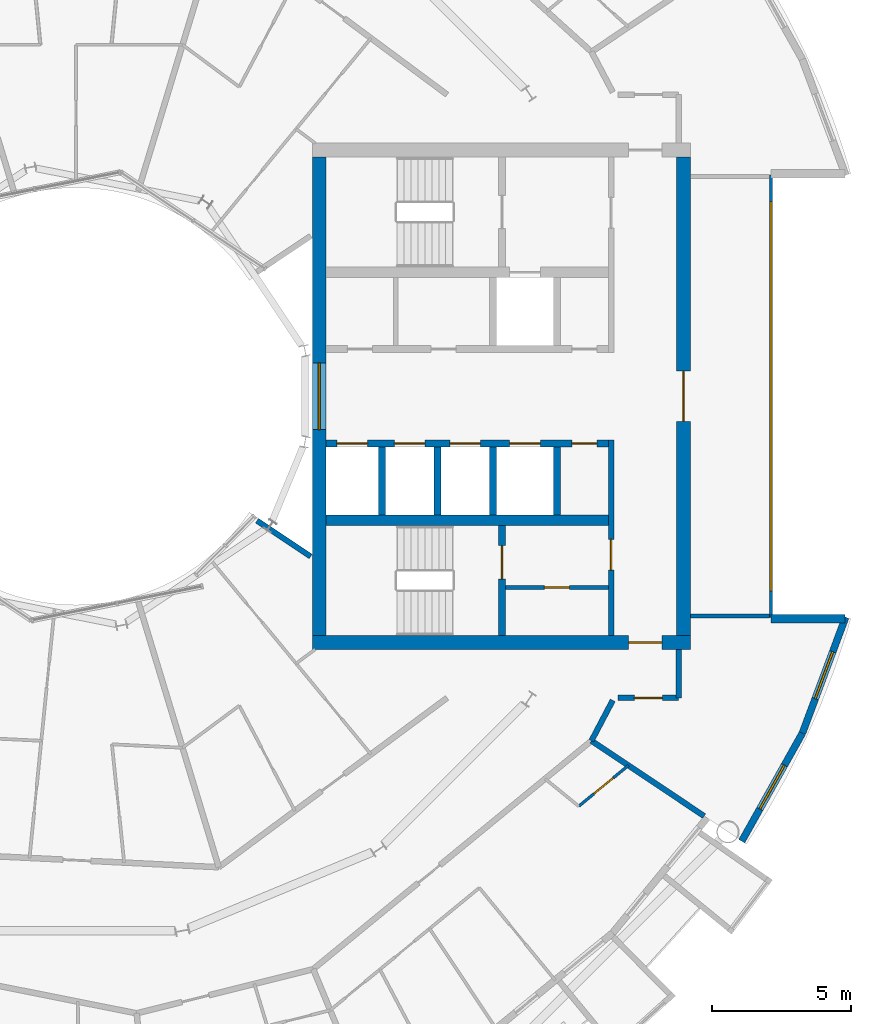
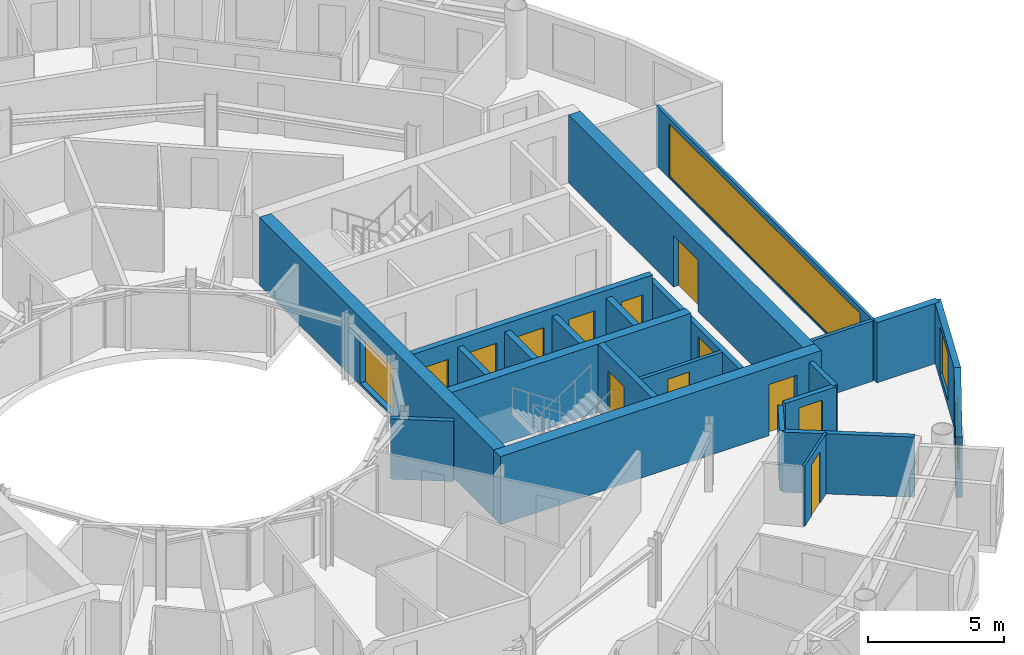
# One storey, part 18 of 26: 23 walls, 12 doors, 4 windows, 16 openings.
"""IFC4 building model written with IfcOpenShell, lengths in metres."""

from ifc_helpers import new_model, si_unit, direction, frame, frame_2d, origin, place, context, subcontext, project, spatial, rectangle, extrude, material, layer, layer_set, type_object, element, fill, save


model = new_model("IFC4")

# Units and contexts
model_context = context("Model", 3, precision=1e-05, world=origin(), true_north=direction((0.0, 1.0)))
body_context = subcontext(model_context, "Body", "Model", "MODEL_VIEW")
ifc_project = project(units=[si_unit("LENGTHUNIT", "METRE"), si_unit("AREAUNIT", "SQUARE_METRE"), si_unit("VOLUMEUNIT", "CUBIC_METRE"), si_unit("PLANEANGLEUNIT", "RADIAN"), si_unit("MASSUNIT", "GRAM", prefix="KILO")], contexts=[model_context])

# Site, building, storey
site_placement = place(None, origin())
site = spatial("IfcSite", under=ifc_project, at=site_placement, CompositionType="ELEMENT")
building_placement = place(site_placement, origin())
building = spatial("IfcBuilding", under=site, at=building_placement, Name="Maasbend Ring Residences", CompositionType="ELEMENT")
storey_placement = place(building_placement, frame((0.0, 0.0, 154.35009765625)))
storey = spatial("IfcBuildingStorey", under=building, at=storey_placement, Name="L44", CompositionType="ELEMENT", Elevation=154.35009765625)

# Wall, openings, doors
ifc_material_1 = material(Name="Concrete C60/75", Category="concrete")
ifc_layer_1 = layer(ifc_material_1, 0.25)
ifc_layer_set_1 = layer_set([ifc_layer_1], Name="Concrete C60/75")
wall_type_1 = type_object("IfcWallType", Name="CORE WALL 250 C60/75", PredefinedType="SHEAR", material=ifc_layer_set_1)
wall_1_placement = place(storey_placement, frame((19.14990234375, -1.699951171875, 0.0), z_axis=(0.0, 0.0, 1.0), x_axis=(-1.0, 0.0, 0.0)))
wall_1 = element("IfcWall", 1, at=wall_1_placement, inside=storey, type_object=wall_type_1, Name="L44 core E wall SPS", PredefinedType="SHEAR", context=body_context, shape_type="SweptSolid", body=[
    extrude(rectangle(XDim=10.14990234375, YDim=0.25, at=frame_2d((5.074951171875, 0.0))), origin(), (0.0, 0.0, 1.0), 3.0498046875),
])
opening_1_placement = place(wall_1_placement, frame((8.66259765625, 0.0, 0.0)))
opening_1 = element("IfcOpeningElement", 2, at=opening_1_placement, cuts=wall_1, Name="Opening LD-E4402", PredefinedType="OPENING", context=body_context, shape_type="SweptSolid", body=[
    extrude(rectangle(XDim=1.10009765625, YDim=2.300048828125, at=frame_2d((0.550048828125, 1.14990234375))), frame((0.0, 0.135009765625, 0.0), z_axis=(0.0, -1.0, 0.0), x_axis=(1.0, 0.0, 0.0)), (0.0, 0.0, 1.0), 0.27001953125),
])
opening_2_placement = place(wall_1_placement, frame((6.60009765625, 0.0, 0.0)))
opening_2 = element("IfcOpeningElement", 3, at=opening_2_placement, cuts=wall_1, Name="Opening LD-E4403", PredefinedType="OPENING", context=body_context, shape_type="SweptSolid", body=[
    extrude(rectangle(XDim=1.10009765625, YDim=2.300048828125, at=frame_2d((0.550048828125, 1.14990234375))), frame((0.0, 0.135009765625, 0.0), z_axis=(0.0, -1.0, 0.0), x_axis=(1.0, 0.0, 0.0)), (0.0, 0.0, 1.0), 0.27001953125),
])
opening_3_placement = place(wall_1_placement, frame((4.60009765625, 0.0, 0.0)))
opening_3 = element("IfcOpeningElement", 4, at=opening_3_placement, cuts=wall_1, Name="Opening LD-E4404", PredefinedType="OPENING", context=body_context, shape_type="SweptSolid", body=[
    extrude(rectangle(XDim=1.10009765625, YDim=2.300048828125, at=frame_2d((0.550048828125, 1.14990234375))), frame((0.0, 0.135009765625, 0.0), z_axis=(0.0, -1.0, 0.0), x_axis=(1.0, 0.0, 0.0)), (0.0, 0.0, 1.0), 0.27001953125),
])
opening_4_placement = place(wall_1_placement, frame((2.449951171875, 0.0, 0.0)))
opening_4 = element("IfcOpeningElement", 5, at=opening_4_placement, cuts=wall_1, Name="Opening LD-E4405", PredefinedType="OPENING", context=body_context, shape_type="SweptSolid", body=[
    extrude(rectangle(XDim=1.10009765625, YDim=2.300048828125, at=frame_2d((0.550048828125, 1.14990234375))), frame((0.0, 0.135009765625, 0.0), z_axis=(0.0, -1.0, 0.0), x_axis=(1.0, 0.0, 0.0)), (0.0, 0.0, 1.0), 0.27001953125),
])
opening_5_placement = place(wall_1_placement, frame((0.41259765625, 0.0, 0.0)))
opening_5 = element("IfcOpeningElement", 6, at=opening_5_placement, cuts=wall_1, Name="Opening D-E4409", PredefinedType="OPENING", context=body_context, shape_type="SweptSolid", body=[
    extrude(rectangle(XDim=0.89990234375, YDim=2.300048828125, at=frame_2d((0.449951171875, 1.14990234375))), frame((0.0, 0.135009765625, 0.0), z_axis=(0.0, -1.0, 0.0), x_axis=(1.0, 0.0, 0.0)), (0.0, 0.0, 1.0), 0.27001953125),
])
ifc_material_2 = material(Name="Stainless steel 316", Category="steel")
door_type_1 = type_object("IfcDoorType", Name="LANDING DOOR 1100 X 2300 FD60", OperationType="DOUBLE_DOOR_SLIDING", PredefinedType="DOOR", material=ifc_material_2)
door_1_placement = place(opening_1_placement, origin())
door_1 = element("IfcDoor", 7, at=door_1_placement, inside=storey, type_object=door_type_1, Name="Landing door HR-E1 L44", OperationType="DOUBLE_DOOR_SLIDING", OverallHeight=2.300048828125, OverallWidth=1.10009765625, PredefinedType="DOOR", context=body_context, shape_type="SweptSolid", body=[
    extrude(rectangle(XDim=1.10009765625, YDim=2.300048828125, at=frame_2d((0.550048828125, 1.14990234375))), frame((0.0, 0.02490234375, 0.0), z_axis=(0.0, -1.0, 0.0), x_axis=(1.0, 0.0, 0.0)), (0.0, 0.0, 1.0), 0.050048828125),
])
fill(opening_1, door_1)
door_2_placement = place(opening_2_placement, origin())
door_2 = element("IfcDoor", 8, at=door_2_placement, inside=storey, type_object=door_type_1, Name="Landing door HR-E2 L44", OperationType="DOUBLE_DOOR_SLIDING", OverallHeight=2.300048828125, OverallWidth=1.10009765625, PredefinedType="DOOR", context=body_context, shape_type="SweptSolid", body=[
    extrude(rectangle(XDim=1.10009765625, YDim=2.300048828125, at=frame_2d((0.550048828125, 1.14990234375))), frame((0.0, 0.02490234375, 0.0), z_axis=(0.0, -1.0, 0.0), x_axis=(1.0, 0.0, 0.0)), (0.0, 0.0, 1.0), 0.050048828125),
])
fill(opening_2, door_2)
door_3_placement = place(opening_3_placement, origin())
door_3 = element("IfcDoor", 9, at=door_3_placement, inside=storey, type_object=door_type_1, Name="Landing door HR-E3 L44", OperationType="DOUBLE_DOOR_SLIDING", OverallHeight=2.300048828125, OverallWidth=1.10009765625, PredefinedType="DOOR", context=body_context, shape_type="SweptSolid", body=[
    extrude(rectangle(XDim=1.10009765625, YDim=2.300048828125, at=frame_2d((0.550048828125, 1.14990234375))), frame((0.0, 0.02490234375, 0.0), z_axis=(0.0, -1.0, 0.0), x_axis=(1.0, 0.0, 0.0)), (0.0, 0.0, 1.0), 0.050048828125),
])
fill(opening_3, door_3)
door_4_placement = place(opening_4_placement, origin())
door_4 = element("IfcDoor", 10, at=door_4_placement, inside=storey, type_object=door_type_1, Name="Landing door SV-E L44", OperationType="DOUBLE_DOOR_SLIDING", OverallHeight=2.300048828125, OverallWidth=1.10009765625, PredefinedType="DOOR", context=body_context, shape_type="SweptSolid", body=[
    extrude(rectangle(XDim=1.10009765625, YDim=2.300048828125, at=frame_2d((0.550048828125, 1.14990234375))), frame((0.0, 0.02490234375, 0.0), z_axis=(0.0, -1.0, 0.0), x_axis=(1.0, 0.0, 0.0)), (0.0, 0.0, 1.0), 0.050048828125),
])
fill(opening_4, door_4)
ifc_material_3 = material(Name="Steel, powder coated", Category="steel")
door_type_2 = type_object("IfcDoorType", Name="ROOM DOOR 900 X 2300 FD30S", OperationType="NOTDEFINED", PredefinedType="DOOR", material=ifc_material_3)
door_5_placement = place(opening_5_placement, origin())
door_5 = element("IfcDoor", 11, at=door_5_placement, inside=storey, type_object=door_type_2, Name="Room door L44", OperationType="SINGLE_SWING_RIGHT", OverallHeight=2.300048828125, OverallWidth=0.89990234375, PredefinedType="DOOR", context=body_context, shape_type="SweptSolid", body=[
    extrude(rectangle(XDim=0.89990234375, YDim=2.300048828125, at=frame_2d((0.449951171875, 1.14990234375))), frame((0.0, 0.02490234375, 0.0), z_axis=(0.0, -1.0, 0.0), x_axis=(1.0, 0.0, 0.0)), (0.0, 0.0, 1.0), 0.050048828125),
])
fill(opening_5, door_5)

# Wall, opening, door
wall_2_placement = place(storey_placement, frame((15.324951171875, -8.60009765625, 0.0), z_axis=(0.0, 0.0, 1.0), x_axis=(0.0, 1.0, 0.0)))
wall_2 = element("IfcWall", 12, at=wall_2_placement, inside=storey, type_object=wall_type_1, Name="L44 core E wall STES", PredefinedType="SHEAR", context=body_context, shape_type="SweptSolid", body=[
    extrude(rectangle(XDim=3.9501953125, YDim=0.25, at=frame_2d((1.97509765625, 0.0))), origin(), (0.0, 0.0, 1.0), 3.0498046875),
])
opening_6_placement = place(wall_2_placement, frame((2.02490234375, 0.0, 0.0)))
opening_6 = element("IfcOpeningElement", 13, at=opening_6_placement, cuts=wall_2, Name="Opening D-E4412", PredefinedType="OPENING", context=body_context, shape_type="SweptSolid", body=[
    extrude(rectangle(XDim=1.199951171875, YDim=2.300048828125, at=frame_2d((0.60009765625, 1.14990234375))), frame((0.0, 0.135009765625, 0.0), z_axis=(0.0, -1.0, 0.0), x_axis=(1.0, 0.0, 0.0)), (0.0, 0.0, 1.0), 0.27001953125),
])
ifc_material_4 = material(Name="Steel, powder coated", Category="steel")
door_type_3 = type_object("IfcDoorType", Name="STAIR DOOR 1200 X 2300 FD60", OperationType="NOTDEFINED", PredefinedType="DOOR", material=ifc_material_4)
door_6_placement = place(opening_6_placement, origin())
door_6 = element("IfcDoor", 14, at=door_6_placement, inside=storey, type_object=door_type_3, Name="Stair door ST-E L44", OperationType="SINGLE_SWING_LEFT", OverallHeight=2.300048828125, OverallWidth=1.199951171875, PredefinedType="DOOR", context=body_context, shape_type="SweptSolid", body=[
    extrude(rectangle(XDim=1.199951171875, YDim=2.300048828125, at=frame_2d((0.60009765625, 1.14990234375))), frame((0.0, 0.02490234375, 0.0), z_axis=(0.0, -1.0, 0.0), x_axis=(1.0, 0.0, 0.0)), (0.0, 0.0, 1.0), 0.050048828125),
])
fill(opening_6, door_6)

# Wall
ifc_material_5 = material(Name="Concrete C60/75", Category="concrete")
ifc_layer_2 = layer(ifc_material_5, 0.375)
ifc_layer_set_2 = layer_set([ifc_layer_2], Name="Concrete C60/75")
wall_type_2 = type_object("IfcWallType", Name="CORE WALL 375 C60/75", PredefinedType="SHEAR", material=ifc_layer_set_2)
wall_3_placement = place(storey_placement, frame((9.0, -4.46240234375, 0.0), z_axis=(0.0, 0.0, 1.0), x_axis=(1.0, 0.0, 0.0)))
element("IfcWall", 15, at=wall_3_placement, inside=storey, type_object=wall_type_2, Name="L44 core E wall BS", PredefinedType="SHEAR", context=body_context, shape_type="SweptSolid", body=[
    extrude(rectangle(XDim=10.14990234375, YDim=0.375, at=frame_2d((5.074951171875, 0.0))), origin(), (0.0, 0.0, 1.0), 3.0498046875),
])

# Wall, opening, door
ifc_material_6 = material(Name="Concrete C60/75", Category="concrete")
ifc_layer_3 = layer(ifc_material_6, 0.5)
ifc_layer_set_3 = layer_set([ifc_layer_3], Name="Concrete C60/75")
wall_type_3 = type_object("IfcWallType", Name="CORE WALL 500 C60/75", PredefinedType="SHEAR", material=ifc_layer_set_3)
wall_4_placement = place(storey_placement, frame((8.5, -8.85009765625, 0.0), z_axis=(0.0, 0.0, 1.0), x_axis=(1.0, 0.0, 0.0)))
wall_4 = element("IfcWall", 16, at=wall_4_placement, inside=storey, type_object=wall_type_3, Name="L44 core E wall PS", PredefinedType="SHEAR", context=body_context, shape_type="SweptSolid", body=[
    extrude(rectangle(XDim=13.60009765625, YDim=0.5, at=frame_2d((6.800048828125, 0.0))), origin(), (0.0, 0.0, 1.0), 3.0498046875),
])
opening_7_placement = place(wall_4_placement, frame((11.375, 0.0, 0.0)))
opening_7 = element("IfcOpeningElement", 17, at=opening_7_placement, cuts=wall_4, Name="Opening D-E4416", PredefinedType="OPENING", context=body_context, shape_type="SweptSolid", body=[
    extrude(rectangle(XDim=1.199951171875, YDim=2.300048828125, at=frame_2d((0.60009765625, 1.14990234375))), frame((0.0, 0.260009765625, 0.0), z_axis=(0.0, -1.0, 0.0), x_axis=(1.0, 0.0, 0.0)), (0.0, 0.0, 1.0), 0.52001953125),
])
ifc_material_7 = material(Name="Steel, powder coated", Category="steel")
door_type_4 = type_object("IfcDoorType", Name="CORRIDOR DOOR 1200 X 2300 FD30S", OperationType="NOTDEFINED", PredefinedType="DOOR", material=ifc_material_7)
door_7_placement = place(opening_7_placement, origin())
door_7 = element("IfcDoor", 18, at=door_7_placement, inside=storey, type_object=door_type_4, Name="Corridor door L44", OperationType="SINGLE_SWING_LEFT", OverallHeight=2.300048828125, OverallWidth=1.199951171875, PredefinedType="DOOR", context=body_context, shape_type="SweptSolid", body=[
    extrude(rectangle(XDim=1.199951171875, YDim=2.300048828125, at=frame_2d((0.60009765625, 1.14990234375))), frame((0.0, 0.02490234375, 0.0), z_axis=(0.0, -1.0, 0.0), x_axis=(1.0, 0.0, 0.0)), (0.0, 0.0, 1.0), 0.050048828125),
])
fill(opening_7, door_7)

wall_5_placement = place(storey_placement, frame((21.85009765625, 8.60009765625, 0.0), z_axis=(0.0, 0.0, 1.0), x_axis=(0.0, -1.0, 0.0)))
wall_5 = element("IfcWall", 19, at=wall_5_placement, inside=storey, type_object=wall_type_3, Name="L44 core E wall POUT", PredefinedType="SHEAR", context=body_context, shape_type="SweptSolid", body=[
    extrude(rectangle(XDim=17.2001953125, YDim=0.5, at=frame_2d((8.60009765625, 0.0))), origin(), (0.0, 0.0, 1.0), 3.0498046875),
])
opening_8_placement = place(wall_5_placement, frame((7.699951171875, 0.0, 0.0)))
opening_8 = element("IfcOpeningElement", 20, at=opening_8_placement, cuts=wall_5, Name="Opening D-E4417", PredefinedType="OPENING", context=body_context, shape_type="SweptSolid", body=[
    extrude(rectangle(XDim=1.800048828125, YDim=2.300048828125, at=frame_2d((0.89990234375, 1.14990234375))), frame((0.0, 0.260009765625, 0.0), z_axis=(0.0, -1.0, 0.0), x_axis=(1.0, 0.0, 0.0)), (0.0, 0.0, 1.0), 0.52001953125),
])
ifc_material_8 = material(Name="Aluminium frame, clear glass", Category="aluminium")
door_type_5 = type_object("IfcDoorType", Name="ENTRANCE DOOR 1800 X 2300 FD60", OperationType="NOTDEFINED", PredefinedType="DOOR", material=ifc_material_8)
door_8_placement = place(opening_8_placement, origin())
door_8 = element("IfcDoor", 21, at=door_8_placement, inside=storey, type_object=door_type_5, Name="Lobby glazed door L44", OperationType="SINGLE_SWING_LEFT", OverallHeight=2.300048828125, OverallWidth=1.800048828125, PredefinedType="DOOR", context=body_context, shape_type="SweptSolid", body=[
    extrude(rectangle(XDim=1.800048828125, YDim=2.300048828125, at=frame_2d((0.89990234375, 1.14990234375))), frame((0.0, 0.02490234375, 0.0), z_axis=(0.0, -1.0, 0.0), x_axis=(1.0, 0.0, 0.0)), (0.0, 0.0, 1.0), 0.050048828125),
])
fill(opening_8, door_8)

# Wall, opening, window
wall_6_placement = place(storey_placement, frame((8.75, -8.60009765625, 0.0), z_axis=(0.0, 0.0, 1.0), x_axis=(0.0, 1.0, 0.0)))
wall_6 = element("IfcWall", 22, at=wall_6_placement, inside=storey, type_object=wall_type_3, Name="L44 core E wall PIN", PredefinedType="SHEAR", context=body_context, shape_type="SweptSolid", body=[
    extrude(rectangle(XDim=17.2001953125, YDim=0.5, at=frame_2d((8.60009765625, 0.0))), origin(), (0.0, 0.0, 1.0), 3.0498046875),
])
opening_9_placement = place(wall_6_placement, frame((7.39990234375, 0.0, 0.10009765625)))
opening_9 = element("IfcOpeningElement", 23, at=opening_9_placement, cuts=wall_6, Name="Opening W-E4401", PredefinedType="OPENING", context=body_context, shape_type="SweptSolid", body=[
    extrude(rectangle(XDim=2.39990234375, YDim=2.199951171875, at=frame_2d((1.199951171875, 1.10009765625))), frame((0.0, 0.260009765625, 0.0), z_axis=(0.0, -1.0, 0.0), x_axis=(1.0, 0.0, 0.0)), (0.0, 0.0, 1.0), 0.52001953125),
])
ifc_material_9 = material(Name="Aluminium frame and clear glass", Category="aluminium")
window_type_1 = type_object("IfcWindowType", Name="FIXED WINDOW 2400 X 2200", PartitioningType="SINGLE_PANEL", PredefinedType="WINDOW", material=ifc_material_9)
window_1_placement = place(opening_9_placement, origin())
window_1 = element("IfcWindow", 24, at=window_1_placement, inside=storey, type_object=window_type_1, Name="Lobby window L44", OverallHeight=2.199951171875, OverallWidth=2.39990234375, PartitioningType="SINGLE_PANEL", PredefinedType="WINDOW", context=body_context, shape_type="SweptSolid", body=[
    extrude(rectangle(XDim=2.39990234375, YDim=2.199951171875, at=frame_2d((1.199951171875, 1.10009765625))), frame((0.0, 0.030029296875, 0.0), z_axis=(0.0, -1.0, 0.0), x_axis=(1.0, 0.0, 0.0)), (0.0, 0.0, 1.0), 0.06005859375),
])
fill(opening_9, window_1)

# Walls
ifc_material_10 = material(Name="Concrete C30/37", Category="concrete")
ifc_layer_4 = layer(ifc_material_10, 0.199951171875)
ifc_layer_set_4 = layer_set([ifc_layer_4], Name="Concrete C30/37")
wall_type_4 = type_object("IfcWallType", Name="CORRIDOR WALL 200 CONCRETE", PredefinedType="PARTITIONING", material=ifc_layer_set_4)
wall_7_placement = place(storey_placement, frame((18.5419921875, -12.388916015625, 0.0), z_axis=(0.0, 0.0, 1.0), x_axis=(0.465605550524, 0.884992356646, 0.0)))
element("IfcWall", 25, at=wall_7_placement, inside=storey, type_object=wall_type_4, Name="U-L44-w010", PredefinedType="PARTITIONING", context=body_context, shape_type="SweptSolid", body=[
    extrude(rectangle(XDim=1.642822265625, YDim=0.199951171875, at=frame_2d((0.8212890625, 0.0))), origin(), (0.0, 0.0, 1.0), 2.699951171875),
])
wall_8_placement = place(storey_placement, frame((21.675048828125, -10.85009765625, 0.0), z_axis=(0.0, 0.0, 1.0), x_axis=(0.0, 1.0, 0.0)))
element("IfcWall", 26, at=wall_8_placement, inside=storey, type_object=wall_type_4, Name="U-L44-w012", PredefinedType="PARTITIONING", context=body_context, shape_type="SweptSolid", body=[
    extrude(rectangle(XDim=1.75, YDim=0.199951171875, at=frame_2d((0.875, 0.0))), origin(), (0.0, 0.0, 1.0), 2.699951171875),
])

# Wall, opening, door
wall_9_placement = place(storey_placement, frame((19.50390625, -10.85009765625, 0.0), z_axis=(0.0, 0.0, 1.0), x_axis=(1.0, 0.0, 0.0)))
wall_9 = element("IfcWall", 27, at=wall_9_placement, inside=storey, type_object=wall_type_4, Name="U-L44-w027", PredefinedType="PARTITIONING", context=body_context, shape_type="SweptSolid", body=[
    extrude(rectangle(XDim=2.171142578125, YDim=0.199951171875, at=frame_2d((1.08544921875, 0.0))), origin(), (0.0, 0.0, 1.0), 2.699951171875),
])
opening_10_placement = place(wall_9_placement, frame((0.5849609375, 0.0, 0.0)))
opening_10 = element("IfcOpeningElement", 28, at=opening_10_placement, cuts=wall_9, Name="Opening D-4466", PredefinedType="OPENING", context=body_context, shape_type="SweptSolid", body=[
    extrude(rectangle(XDim=1.0, YDim=2.300048828125, at=frame_2d((0.5, 1.14990234375))), frame((0.0, 0.10986328125, 0.0), z_axis=(0.0, -1.0, 0.0), x_axis=(1.0, 0.0, 0.0)), (0.0, 0.0, 1.0), 0.219970703125),
])
ifc_material_11 = material(Name="Timber, painted", Category="wood")
door_type_6 = type_object("IfcDoorType", Name="ROOM DOOR 1000 X 2300", OperationType="NOTDEFINED", PredefinedType="DOOR", material=ifc_material_11)
door_9_placement = place(opening_10_placement, origin())
door_9 = element("IfcDoor", 29, at=door_9_placement, inside=storey, type_object=door_type_6, Name="D-4466", OperationType="SINGLE_SWING_LEFT", OverallHeight=2.300048828125, OverallWidth=1.0, PredefinedType="DOOR", context=body_context, shape_type="SweptSolid", body=[
    extrude(rectangle(XDim=1.0, YDim=2.300048828125, at=frame_2d((0.5, 1.14990234375))), frame((0.0, 0.02490234375, 0.0), z_axis=(0.0, -1.0, 0.0), x_axis=(1.0, 0.0, 0.0)), (0.0, 0.0, 1.0), 0.050048828125),
])
fill(opening_10, door_9)

# Wall, opening, window
ifc_material_12 = material(Name="Aluminium clad insulated panel", Category="aluminium")
ifc_layer_5 = layer(ifc_material_12, 0.25)
ifc_layer_set_5 = layer_set([ifc_layer_5], Name="EW-HORN")
wall_type_5 = type_object("IfcWallType", Name="EW-HORN", PredefinedType="SOLIDWALL", material=ifc_layer_set_5)
wall_10_placement = place(storey_placement, frame((23.946044921875, -16.0, 0.0), z_axis=(0.0, 0.0, 1.0), x_axis=(0.489696356642, 0.871893042919, 0.0)))
wall_10 = element("IfcWall", 30, at=wall_10_placement, inside=storey, type_object=wall_type_5, Name="Horn wall 2.1", PredefinedType="SOLIDWALL", context=body_context, shape_type="SweptSolid", body=[
    extrude(rectangle(XDim=4.45361328125, YDim=0.25, at=frame_2d((2.226806640625, 0.0))), origin(), (0.0, 0.0, 1.0), 2.699951171875),
])
opening_11_placement = place(wall_10_placement, frame((1.32666015625, 0.0, 0.300048828125)))
opening_11 = element("IfcOpeningElement", 31, at=opening_11_placement, cuts=wall_10, Name="Opening W-BX", PredefinedType="OPENING", context=body_context, shape_type="SweptSolid", body=[
    extrude(rectangle(XDim=1.800048828125, YDim=2.10009765625, at=frame_2d((0.89990234375, 1.050048828125))), frame((0.0, 0.135009765625, 0.0), z_axis=(0.0, -1.0, 0.0), x_axis=(1.0, 0.0, 0.0)), (0.0, 0.0, 1.0), 0.27001953125),
])
ifc_material_13 = material(Name="Aluminium and clear glass", Category="aluminium")
window_type_2 = type_object("IfcWindowType", Name="W-BX", PartitioningType="DOUBLE_PANEL_VERTICAL", PredefinedType="WINDOW", material=ifc_material_13)
window_2_placement = place(opening_11_placement, origin())
window_2 = element("IfcWindow", 32, at=window_2_placement, inside=storey, type_object=window_type_2, Name="Horn window 2.1", OverallHeight=2.10009765625, OverallWidth=1.800048828125, PartitioningType="SINGLE_PANEL", PredefinedType="WINDOW", context=body_context, shape_type="SweptSolid", body=[
    extrude(rectangle(XDim=1.800048828125, YDim=2.10009765625, at=frame_2d((0.89990234375, 1.050048828125))), frame((0.0, 0.030029296875, 0.0), z_axis=(0.0, -1.0, 0.0), x_axis=(1.0, 0.0, 0.0)), (0.0, 0.0, 1.0), 0.06005859375),
])
fill(opening_11, window_2)

wall_11_placement = place(storey_placement, frame((26.126953125, -12.116943359375, 0.0), z_axis=(0.0, 0.0, 1.0), x_axis=(0.349247811493, 0.937030397675, 0.0)))
wall_11 = element("IfcWall", 33, at=wall_11_placement, inside=storey, type_object=wall_type_5, Name="Horn wall 2.2", PredefinedType="SOLIDWALL", context=body_context, shape_type="SweptSolid", body=[
    extrude(rectangle(XDim=4.4521484375, YDim=0.25, at=frame_2d((2.22607421875, 0.0))), origin(), (0.0, 0.0, 1.0), 2.699951171875),
])
opening_12_placement = place(wall_11_placement, frame((1.32666015625, 0.0, 0.300048828125)))
opening_12 = element("IfcOpeningElement", 34, at=opening_12_placement, cuts=wall_11, Name="Opening W-BX", PredefinedType="OPENING", context=body_context, shape_type="SweptSolid", body=[
    extrude(rectangle(XDim=1.800048828125, YDim=2.10009765625, at=frame_2d((0.89990234375, 1.050048828125))), frame((0.0, 0.135009765625, 0.0), z_axis=(0.0, -1.0, 0.0), x_axis=(1.0, 0.0, 0.0)), (0.0, 0.0, 1.0), 0.27001953125),
])
window_3_placement = place(opening_12_placement, origin())
window_3 = element("IfcWindow", 35, at=window_3_placement, inside=storey, type_object=window_type_2, Name="Horn window 2.2", OverallHeight=2.10009765625, OverallWidth=1.800048828125, PartitioningType="SINGLE_PANEL", PredefinedType="WINDOW", context=body_context, shape_type="SweptSolid", body=[
    extrude(rectangle(XDim=1.800048828125, YDim=2.10009765625, at=frame_2d((0.89990234375, 1.050048828125))), frame((0.0, 0.030029296875, 0.0), z_axis=(0.0, -1.0, 0.0), x_axis=(1.0, 0.0, 0.0)), (0.0, 0.0, 1.0), 0.06005859375),
])
fill(opening_12, window_3)

# Wall
ifc_material_14 = material(Name="Aluminium clad insulated panel", Category="aluminium")
ifc_layer_6 = layer(ifc_material_14, 0.300048828125)
ifc_layer_set_6 = layer_set([ifc_layer_6], Name="EW-RET")
wall_type_6 = type_object("IfcWallType", Name="EW-RET", PredefinedType="SOLIDWALL", material=ifc_layer_set_6)
wall_12_placement = place(storey_placement, frame((25.0, -8.0, 0.0), z_axis=(0.0, 0.0, 1.0), x_axis=(1.0, 0.0, 0.0)))
element("IfcWall", 36, at=wall_12_placement, inside=storey, type_object=wall_type_6, Name="Notch return wall east south", PredefinedType="SOLIDWALL", context=body_context, shape_type="SweptSolid", body=[
    extrude(rectangle(XDim=2.6669921875, YDim=0.300048828125, at=frame_2d((1.33349609375, 0.0))), origin(), (0.0, 0.0, 1.0), 2.699951171875),
])

# Wall, opening, window
ifc_material_15 = material(Name="Aluminium frame and clear glass", Category="aluminium")
ifc_layer_7 = layer(ifc_material_15, 0.1201171875)
ifc_layer_set_7 = layer_set([ifc_layer_7], Name="GLAZED SCREEN WALL 120 EI 60")
wall_type_7 = type_object("IfcWallType", Name="GLAZED SCREEN WALL 120 EI 60", PredefinedType="PARTITIONING", material=ifc_layer_set_7)
wall_13_placement = place(storey_placement, frame((25.0, -7.949951171875, 0.0), z_axis=(0.0, 0.0, 1.0), x_axis=(0.0, 1.0, 0.0)))
wall_13 = element("IfcWall", 37, at=wall_13_placement, inside=storey, type_object=wall_type_7, Name="L44 core E wall FACE", PredefinedType="PARTITIONING", context=body_context, shape_type="SweptSolid", body=[
    extrude(rectangle(XDim=15.89990234375, YDim=0.1201171875, at=frame_2d((7.949951171875, 0.0))), origin(), (0.0, 0.0, 1.0), 2.699951171875),
])
opening_13_placement = place(wall_13_placement, frame((0.949951171875, 0.0, 0.10009765625)))
opening_13 = element("IfcOpeningElement", 38, at=opening_13_placement, cuts=wall_13, Name="Opening W-E4402", PredefinedType="OPENING", context=body_context, shape_type="SweptSolid", body=[
    extrude(rectangle(XDim=14.0, YDim=2.35009765625, at=frame_2d((7.0, 1.175048828125))), frame((0.0, 0.070068359375, 0.0), z_axis=(0.0, -1.0, 0.0), x_axis=(1.0, 0.0, 0.0)), (0.0, 0.0, 1.0), 0.14013671875),
])
ifc_material_16 = material(Name="Aluminium frame and clear glass", Category="aluminium")
window_type_3 = type_object("IfcWindowType", Name="FIXED WINDOW 14000 X 2350", PartitioningType="SINGLE_PANEL", PredefinedType="WINDOW", material=ifc_material_16)
window_4_placement = place(opening_13_placement, origin())
window_4 = element("IfcWindow", 39, at=window_4_placement, inside=storey, type_object=window_type_3, Name="Lobby window L44", OverallHeight=2.35009765625, OverallWidth=14.0, PartitioningType="SINGLE_PANEL", PredefinedType="WINDOW", context=body_context, shape_type="SweptSolid", body=[
    extrude(rectangle(XDim=14.0, YDim=2.35009765625, at=frame_2d((7.0, 1.175048828125))), frame((0.0, 0.030029296875, 0.0), z_axis=(0.0, -1.0, 0.0), x_axis=(1.0, 0.0, 0.0)), (0.0, 0.0, 1.0), 0.06005859375),
])
fill(opening_13, window_4)

# Wall, opening, door
ifc_material_17 = material(Name="Gypsum board on steel studs", Category="steel")
ifc_layer_8 = layer(ifc_material_17, 0.10009765625)
ifc_layer_set_8 = layer_set([ifc_layer_8], Name="PARTITION 100 GYPSUM")
wall_type_8 = type_object("IfcWallType", Name="PARTITION 100 GYPSUM", PredefinedType="PARTITIONING", material=ifc_layer_set_8)
wall_14_placement = place(storey_placement, frame((18.0869140625, -14.741943359375, 0.0), z_axis=(0.0, 0.0, 1.0), x_axis=(0.77288890179, 0.634541366256, 0.0)))
wall_14 = element("IfcWall", 40, at=wall_14_placement, inside=storey, type_object=wall_type_8, Name="U-L44-w008", PredefinedType="PARTITIONING", context=body_context, shape_type="SweptSolid", body=[
    extrude(rectangle(XDim=2.3134765625, YDim=0.10009765625, at=frame_2d((1.15673828125, 0.0))), origin(), (0.0, 0.0, 1.0), 2.699951171875),
])
opening_14_placement = place(wall_14_placement, frame((0.701904296875, 0.0, 0.0)))
opening_14 = element("IfcOpeningElement", 41, at=opening_14_placement, cuts=wall_14, Name="Opening D-4447", PredefinedType="OPENING", context=body_context, shape_type="SweptSolid", body=[
    extrude(rectangle(XDim=0.89990234375, YDim=2.300048828125, at=frame_2d((0.449951171875, 1.14990234375))), frame((0.0, 0.06005859375, 0.0), z_axis=(0.0, -1.0, 0.0), x_axis=(1.0, 0.0, 0.0)), (0.0, 0.0, 1.0), 0.1201171875),
])
ifc_material_18 = material(Name="Timber, painted", Category="wood")
door_type_7 = type_object("IfcDoorType", Name="INTERNAL DOOR 900 X 2300", OperationType="NOTDEFINED", PredefinedType="DOOR", material=ifc_material_18)
door_10_placement = place(opening_14_placement, origin())
door_10 = element("IfcDoor", 42, at=door_10_placement, inside=storey, type_object=door_type_7, Name="D-4447", OperationType="SINGLE_SWING_LEFT", OverallHeight=2.300048828125, OverallWidth=0.89990234375, PredefinedType="DOOR", context=body_context, shape_type="SweptSolid", body=[
    extrude(rectangle(XDim=0.89990234375, YDim=2.300048828125, at=frame_2d((0.449951171875, 1.14990234375))), frame((0.0, 0.02490234375, 0.0), z_axis=(0.0, -1.0, 0.0), x_axis=(1.0, 0.0, 0.0)), (0.0, 0.0, 1.0), 0.050048828125),
])
fill(opening_14, door_10)

ifc_material_19 = material(Name="Gypsum board on steel studs", Category="steel")
ifc_layer_9 = layer(ifc_material_19, 0.14990234375)
ifc_layer_set_9 = layer_set([ifc_layer_9], Name="PARTITION 150 EI 60")
wall_type_9 = type_object("IfcWallType", Name="PARTITION 150 EI 60", PredefinedType="PARTITIONING", material=ifc_layer_set_9)
wall_15_placement = place(storey_placement, frame((15.449951171875, -6.875, 0.0), z_axis=(0.0, 0.0, 1.0), x_axis=(1.0, 0.0, 0.0)))
wall_15 = element("IfcWall", 43, at=wall_15_placement, inside=storey, type_object=wall_type_9, Name="L44 core E wall RHS", PredefinedType="PARTITIONING", context=body_context, shape_type="SweptSolid", body=[
    extrude(rectangle(XDim=3.699951171875, YDim=0.14990234375, at=frame_2d((1.85009765625, 0.0))), origin(), (0.0, 0.0, 1.0), 2.699951171875),
])
opening_15_placement = place(wall_15_placement, frame((1.39990234375, 0.0, 0.0)))
opening_15 = element("IfcOpeningElement", 44, at=opening_15_placement, cuts=wall_15, Name="Opening D-E4410", PredefinedType="OPENING", context=body_context, shape_type="SweptSolid", body=[
    extrude(rectangle(XDim=0.89990234375, YDim=2.300048828125, at=frame_2d((0.449951171875, 1.14990234375))), frame((0.0, 0.0849609375, 0.0), z_axis=(0.0, -1.0, 0.0), x_axis=(1.0, 0.0, 0.0)), (0.0, 0.0, 1.0), 0.169921875),
])
ifc_material_20 = material(Name="Steel, powder coated", Category="steel")
door_type_8 = type_object("IfcDoorType", Name="RISER DOOR 900 X 2300 FD60", OperationType="NOTDEFINED", PredefinedType="DOOR", material=ifc_material_20)
door_11_placement = place(opening_15_placement, origin())
door_11 = element("IfcDoor", 45, at=door_11_placement, inside=storey, type_object=door_type_8, Name="Riser door L44", OperationType="SINGLE_SWING_LEFT", OverallHeight=2.300048828125, OverallWidth=0.89990234375, PredefinedType="DOOR", context=body_context, shape_type="SweptSolid", body=[
    extrude(rectangle(XDim=0.89990234375, YDim=2.300048828125, at=frame_2d((0.449951171875, 1.14990234375))), frame((0.0, 0.02490234375, 0.0), z_axis=(0.0, -1.0, 0.0), x_axis=(1.0, 0.0, 0.0)), (0.0, 0.0, 1.0), 0.050048828125),
])
fill(opening_15, door_11)

# Walls
wall_16_placement = place(storey_placement, frame((22.10009765625, -7.89990234375, 0.0), z_axis=(0.0, 0.0, 1.0), x_axis=(1.0, 0.0, 0.0)))
element("IfcWall", 46, at=wall_16_placement, inside=storey, type_object=wall_type_9, Name="L44 core E wall CITS", PredefinedType="PARTITIONING", context=body_context, shape_type="SweptSolid", body=[
    extrude(rectangle(XDim=2.83984375, YDim=0.14990234375, at=frame_2d((1.419921875, 0.0))), origin(), (0.0, 0.0, 1.0), 2.699951171875),
])
ifc_material_21 = material(Name="Concrete C30/37", Category="concrete")
ifc_layer_10 = layer(ifc_material_21, 0.199951171875)
ifc_layer_set_10 = layer_set([ifc_layer_10], Name="Concrete C30/37")
wall_type_10 = type_object("IfcWallType", Name="PARTY WALL 200 CONCRETE", PredefinedType="PARTITIONING", material=ifc_layer_set_10)
wall_17_placement = place(storey_placement, frame((6.512939453125, -4.471923828125, 0.0), z_axis=(0.0, 0.0, 1.0), x_axis=(0.83133816625, -0.555766905579, 0.0)))
element("IfcWall", 47, at=wall_17_placement, inside=storey, type_object=wall_type_10, Name="U-L44-w029", PredefinedType="PARTITIONING", context=body_context, shape_type="SweptSolid", body=[
    extrude(rectangle(XDim=2.322998046875, YDim=0.199951171875, at=frame_2d((1.16162109375, 0.0))), origin(), (0.0, 0.0, 1.0), 2.699951171875),
])
wall_18_placement = place(storey_placement, frame((18.5419921875, -12.388916015625, 0.0), z_axis=(0.0, 0.0, 1.0), x_axis=(0.831387096605, -0.55569370664, 0.0)))
element("IfcWall", 48, at=wall_18_placement, inside=storey, type_object=wall_type_10, Name="U-L44-w085", PredefinedType="PARTITIONING", context=body_context, shape_type="SweptSolid", body=[
    extrude(rectangle(XDim=4.875, YDim=0.199951171875, at=frame_2d((2.4375, 0.0))), origin(), (0.0, 0.0, 1.0), 2.699951171875),
])

# Wall, opening, door
ifc_material_22 = material(Name="Concrete C30/37", Category="concrete")
ifc_layer_11 = layer(ifc_material_22, 0.199951171875)
ifc_layer_set_11 = layer_set([ifc_layer_11], Name="Concrete C30/37")
wall_type_11 = type_object("IfcWallType", Name="SHAFT WALL 200 EI 120", PredefinedType="SOLIDWALL", material=ifc_layer_set_11)
wall_19_placement = place(storey_placement, frame((19.25, -8.60009765625, 0.0), z_axis=(0.0, 0.0, 1.0), x_axis=(0.0, 1.0, 0.0)))
wall_19 = element("IfcWall", 49, at=wall_19_placement, inside=storey, type_object=wall_type_11, Name="L44 core E wall ENDS", PredefinedType="SOLIDWALL", context=body_context, shape_type="SweptSolid", body=[
    extrude(rectangle(XDim=7.025146484375, YDim=0.199951171875, at=frame_2d((3.5126953125, 0.0))), origin(), (0.0, 0.0, 1.0), 2.699951171875),
])
opening_16_placement = place(wall_19_placement, frame((2.35009765625, 0.0, 0.0)))
opening_16 = element("IfcOpeningElement", 50, at=opening_16_placement, cuts=wall_19, Name="Opening D-E4414", PredefinedType="OPENING", context=body_context, shape_type="SweptSolid", body=[
    extrude(rectangle(XDim=1.10009765625, YDim=2.300048828125, at=frame_2d((0.550048828125, 1.14990234375))), frame((0.0, 0.10986328125, 0.0), z_axis=(0.0, -1.0, 0.0), x_axis=(1.0, 0.0, 0.0)), (0.0, 0.0, 1.0), 0.219970703125),
])
ifc_material_23 = material(Name="Steel, powder coated", Category="steel")
door_type_9 = type_object("IfcDoorType", Name="LOBBY DOOR 1100 X 2300 FD60", OperationType="NOTDEFINED", PredefinedType="DOOR", material=ifc_material_23)
door_12_placement = place(opening_16_placement, origin())
door_12 = element("IfcDoor", 51, at=door_12_placement, inside=storey, type_object=door_type_9, Name="Lobby door L44", OperationType="SINGLE_SWING_RIGHT", OverallHeight=2.300048828125, OverallWidth=1.10009765625, PredefinedType="DOOR", context=body_context, shape_type="SweptSolid", body=[
    extrude(rectangle(XDim=1.10009765625, YDim=2.300048828125, at=frame_2d((0.550048828125, 1.14990234375))), frame((0.0, 0.02490234375, 0.0), z_axis=(0.0, -1.0, 0.0), x_axis=(1.0, 0.0, 0.0)), (0.0, 0.0, 1.0), 0.050048828125),
])
fill(opening_16, door_12)

# Walls
ifc_material_24 = material(Name="Concrete C30/37", Category="concrete")
ifc_layer_12 = layer(ifc_material_24, 0.25)
ifc_layer_set_12 = layer_set([ifc_layer_12], Name="Concrete C30/37")
wall_type_12 = type_object("IfcWallType", Name="SHAFT WALL 250 EI 120", PredefinedType="SOLIDWALL", material=ifc_layer_set_12)
for number, where, z_axis, x_axis, name in (
    (52, (15.0, -1.824951171875, 0.0), (0.0, 0.0, 1.0), (0.0, -1.0, 0.0), "L44 core E wall D150S"),
    (53, (17.300048828125, -1.824951171875, 0.0), (0.0, 0.0, 1.0), (0.0, -1.0, 0.0), "L44 core E wall D173S"),
    (54, (11.0, -1.824951171875, 0.0), (0.0, 0.0, 1.0), (0.0, -1.0, 0.0), "L44 core E wall D110S"),
    (55, (13.0, -1.824951171875, 0.0), (0.0, 0.0, 1.0), (0.0, -1.0, 0.0), "L44 core E wall D130S"),
):
    element("IfcWall", number, at=place(storey_placement, frame(where, z_axis=z_axis, x_axis=x_axis)), inside=storey, type_object=wall_type_12, Name=name, PredefinedType="SOLIDWALL", context=body_context, shape_type="SweptSolid", body=[
        extrude(rectangle(XDim=2.449951171875, YDim=0.25, at=frame_2d((1.22509765625, 0.0))), origin(), (0.0, 0.0, 1.0), 2.699951171875),
    ])

save(model, "model.ifc")
